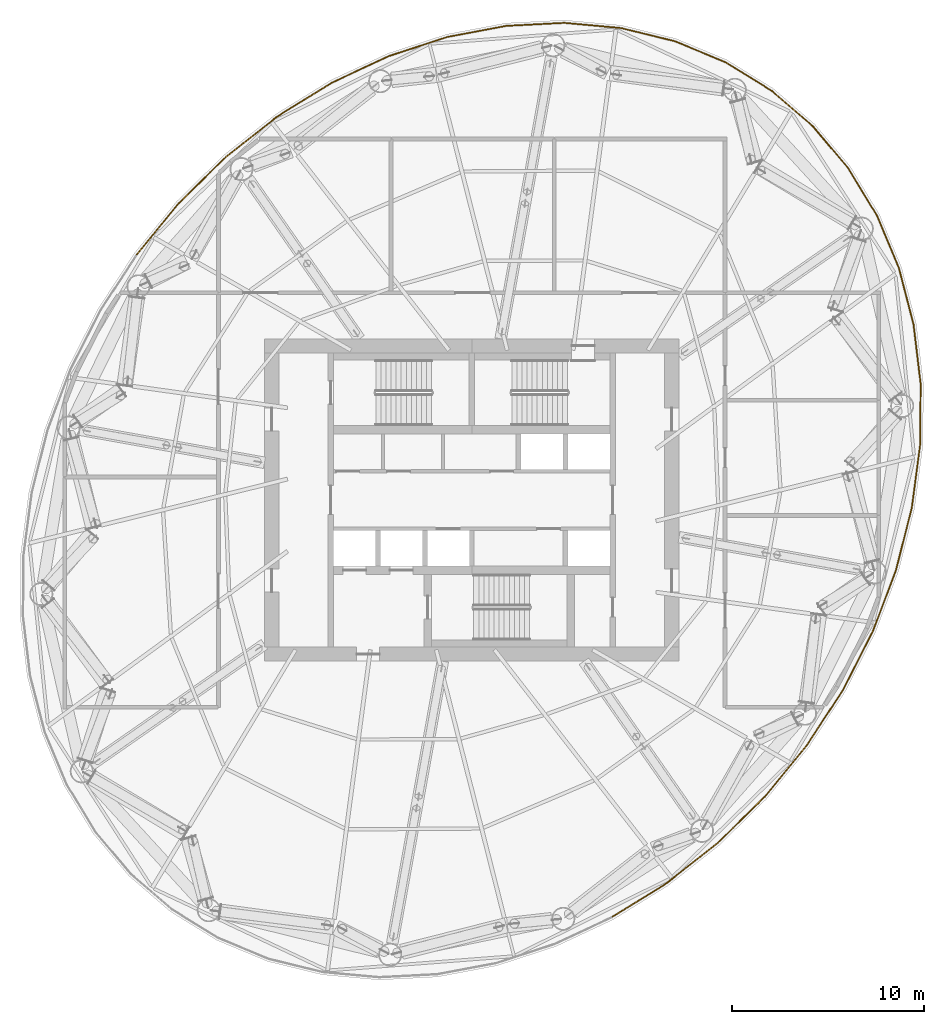
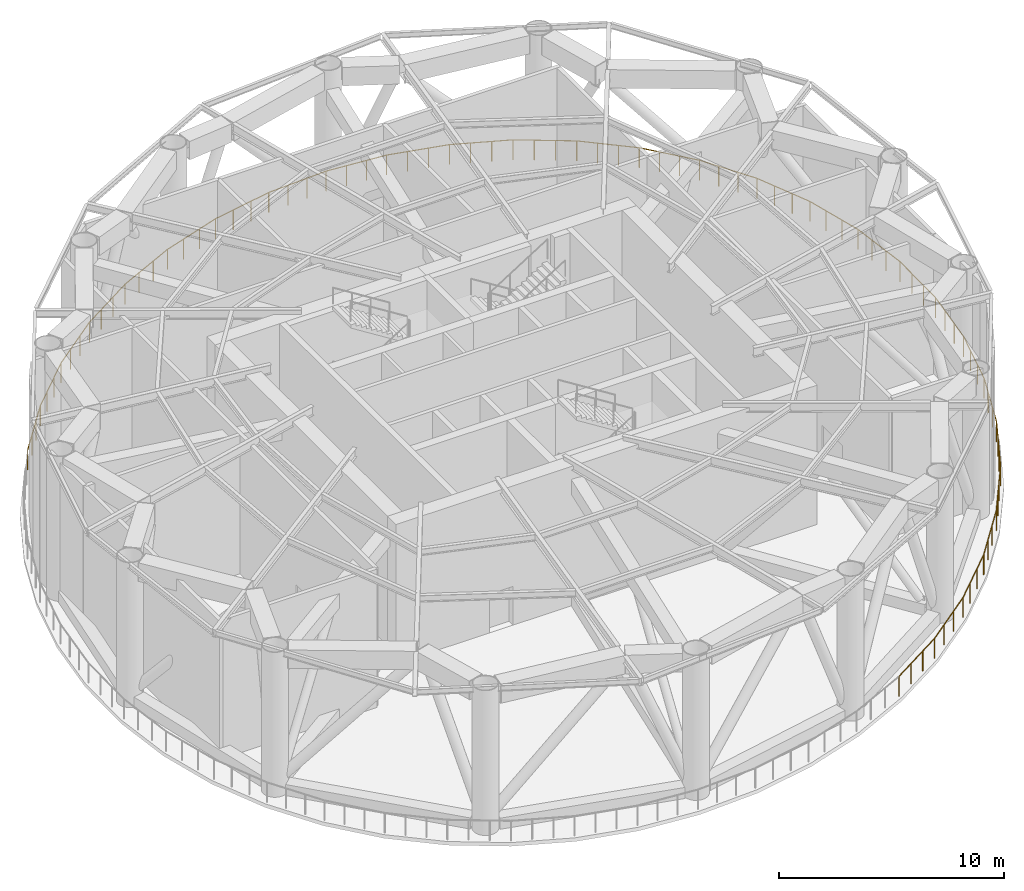
# One storey, part 15 of 15: 7 railings.
"""IFC4 building model written with IfcOpenShell, lengths in metres."""

from ifc_helpers import new_model, si_unit, direction, frame, origin, origin_2d, place, context, subcontext, project, spatial, circle, extrude, material, type_object, element, save


model = new_model("IFC4")

# Units and contexts
model_context = context("Model", 3, precision=1e-05, world=origin(), true_north=direction((0.0, 1.0)))
body_context = subcontext(model_context, "Body", "Model", "MODEL_VIEW")
ifc_project = project(units=[si_unit("LENGTHUNIT", "METRE"), si_unit("AREAUNIT", "SQUARE_METRE"), si_unit("VOLUMEUNIT", "CUBIC_METRE"), si_unit("PLANEANGLEUNIT", "RADIAN"), si_unit("MASSUNIT", "GRAM", prefix="KILO")], contexts=[model_context])

# Site, building, storey
site_placement = place(None, origin())
site = spatial("IfcSite", under=ifc_project, at=site_placement, CompositionType="ELEMENT")
building_placement = place(site_placement, origin())
building = spatial("IfcBuilding", under=site, at=building_placement, Name="Vermilion Reach Broadcast Tower", CompositionType="ELEMENT")
storey_placement = place(building_placement, frame((0.0, 0.0, 246.10009765625)))
storey = spatial("IfcBuildingStorey", under=building, at=storey_placement, Name="L61", CompositionType="ELEMENT", Elevation=246.10009765625)

# Railings
ifc_material = material(Name="Steel guardrail with stainless infill", Category="steel")
railing_type = type_object("IfcRailingType", Name="Open floor guardrail 1100", PredefinedType="GUARDRAIL", material=ifc_material)
railing_1_placement = place(storey_placement, frame((9.62548828125, 21.318359375, 0.0)))
element("IfcRailing", 1, at=railing_1_placement, inside=storey, type_object=railing_type, Name="sp.rail.L61.00", PredefinedType="GUARDRAIL", context=body_context, shape_type="SweptSolid", body=[
    extrude(circle(Radius=0.02490234375, at=origin_2d()), frame((0.0, 0.0, 1.0751953125), z_axis=(-0.851106588686, 0.524992928234, 0.0), x_axis=(-0.524992928234, -0.851106588686, 0.0)), (0.0, 0.0, 1.0), 2.828369140625),
    extrude(circle(Radius=0.02490234375, at=origin_2d()), frame((-2.4072265625, 1.48486328125, 1.0751953125), z_axis=(-0.923264218257, 0.384165567545, 0.0), x_axis=(-0.384165567545, -0.923264218257, 0.0)), (0.0, 0.0, 1.0), 2.85205078125),
    extrude(circle(Radius=0.02490234375, at=origin_2d()), frame((-5.04052734375, 2.58056640625, 1.0751953125), z_axis=(-0.971383456772, 0.237516693958, 0.0), x_axis=(-0.237516693958, -0.971383456772, 0.0)), (0.0, 0.0, 1.0), 2.897705078125),
    extrude(circle(Radius=0.02490234375, at=origin_2d()), frame((-7.855224609375, 3.268798828125, 1.0751953125), z_axis=(-0.995884414195, 0.09063240901, 0.0), x_axis=(-0.09063240901, -0.995884414195, 0.0)), (0.0, 0.0, 1.0), 2.96044921875),
    extrude(circle(Radius=0.02490234375, at=origin_2d()), origin(), (0.0, 0.0, 1.0), 1.050048828125),
    extrude(circle(Radius=0.02490234375, at=origin_2d()), frame((-0.802490234375, 0.494873046875, 0.0)), (0.0, 0.0, 1.0), 1.050048828125),
    extrude(circle(Radius=0.02490234375, at=origin_2d()), frame((-1.604736328125, 0.989990234375, 0.0)), (0.0, 0.0, 1.0), 1.050048828125),
    extrude(circle(Radius=0.02490234375, at=origin_2d()), frame((-2.4072265625, 1.48486328125, 0.0)), (0.0, 0.0, 1.0), 1.050048828125),
    extrude(circle(Radius=0.02490234375, at=origin_2d()), frame((-3.284912109375, 1.85009765625, 0.0)), (0.0, 0.0, 1.0), 1.050048828125),
    extrude(circle(Radius=0.02490234375, at=origin_2d()), frame((-4.162841796875, 2.21533203125, 0.0)), (0.0, 0.0, 1.0), 1.050048828125),
    extrude(circle(Radius=0.02490234375, at=origin_2d()), frame((-5.04052734375, 2.58056640625, 0.0)), (0.0, 0.0, 1.0), 1.050048828125),
    extrude(circle(Radius=0.02490234375, at=origin_2d()), frame((-5.978759765625, 2.81005859375, 0.0)), (0.0, 0.0, 1.0), 1.050048828125),
    extrude(circle(Radius=0.02490234375, at=origin_2d()), frame((-6.9169921875, 3.039306640625, 0.0)), (0.0, 0.0, 1.0), 1.050048828125),
    extrude(circle(Radius=0.02490234375, at=origin_2d()), frame((-7.855224609375, 3.268798828125, 0.0)), (0.0, 0.0, 1.0), 1.050048828125),
    extrude(circle(Radius=0.02490234375, at=origin_2d()), frame((-8.837890625, 3.358154296875, 0.0)), (0.0, 0.0, 1.0), 1.050048828125),
    extrude(circle(Radius=0.02490234375, at=origin_2d()), frame((-9.82080078125, 3.44775390625, 0.0)), (0.0, 0.0, 1.0), 1.050048828125),
    extrude(circle(Radius=0.02490234375, at=origin_2d()), frame((-10.803466796875, 3.537109375, 0.0)), (0.0, 0.0, 1.0), 1.050048828125),
])
railing_2_placement = place(storey_placement, frame((-1.177978515625, 24.85546875, 0.0)))
element("IfcRailing", 2, at=railing_2_placement, inside=storey, type_object=railing_type, Name="sp.rail.L61.01", PredefinedType="GUARDRAIL", context=body_context, shape_type="SweptSolid", body=[
    extrude(circle(Radius=0.02490234375, at=origin_2d()), frame((0.0, 0.0, 1.0751953125), z_axis=(-0.998670629218, -0.051545846955, 0.0), x_axis=(0.051545846955, -0.998670629218, 0.0)), (0.0, 0.0, 1.0), 3.0361328125),
    extrude(circle(Radius=0.02490234375, at=origin_2d()), frame((-3.031982421875, -0.156494140625, 1.0751953125), z_axis=(-0.982600768773, -0.185730259266, 0.0), x_axis=(0.185730259266, -0.982600768773, 0.0)), (0.0, 0.0, 1.0), 3.117919921875),
    extrude(circle(Radius=0.02490234375, at=origin_2d()), frame((-6.095703125, -0.735595703125, 1.0751953125), z_axis=(-0.950752810665, -0.309950146011, 0.0), x_axis=(0.309950146011, -0.950752810665, 0.0)), (0.0, 0.0, 1.0), 3.200439453125),
    extrude(circle(Radius=0.02490234375, at=origin_2d()), frame((-9.138427734375, -1.7275390625, 1.0751953125), z_axis=(-0.905884208304, -0.423525443327, 0.0), x_axis=(0.423525443327, -0.905884208304, 0.0)), (0.0, 0.0, 1.0), 3.2783203125),
    extrude(circle(Radius=0.02490234375, at=origin_2d()), origin(), (0.0, 0.0, 1.0), 1.050048828125),
    extrude(circle(Radius=0.02490234375, at=origin_2d()), frame((-1.0107421875, -0.05224609375, 0.0)), (0.0, 0.0, 1.0), 1.050048828125),
    extrude(circle(Radius=0.02490234375, at=origin_2d()), frame((-2.021240234375, -0.104248046875, 0.0)), (0.0, 0.0, 1.0), 1.050048828125),
    extrude(circle(Radius=0.02490234375, at=origin_2d()), frame((-3.031982421875, -0.156494140625, 0.0)), (0.0, 0.0, 1.0), 1.050048828125),
    extrude(circle(Radius=0.02490234375, at=origin_2d()), frame((-4.05322265625, -0.349609375, 0.0)), (0.0, 0.0, 1.0), 1.050048828125),
    extrude(circle(Radius=0.02490234375, at=origin_2d()), frame((-5.074462890625, -0.54248046875, 0.0)), (0.0, 0.0, 1.0), 1.050048828125),
    extrude(circle(Radius=0.02490234375, at=origin_2d()), frame((-6.095703125, -0.735595703125, 0.0)), (0.0, 0.0, 1.0), 1.050048828125),
    extrude(circle(Radius=0.02490234375, at=origin_2d()), frame((-7.10986328125, -1.066162109375, 0.0)), (0.0, 0.0, 1.0), 1.050048828125),
    extrude(circle(Radius=0.02490234375, at=origin_2d()), frame((-8.124267578125, -1.39697265625, 0.0)), (0.0, 0.0, 1.0), 1.050048828125),
    extrude(circle(Radius=0.02490234375, at=origin_2d()), frame((-9.138427734375, -1.7275390625, 0.0)), (0.0, 0.0, 1.0), 1.050048828125),
    extrude(circle(Radius=0.02490234375, at=origin_2d()), frame((-10.12841796875, -2.1904296875, 0.0)), (0.0, 0.0, 1.0), 1.050048828125),
    extrude(circle(Radius=0.02490234375, at=origin_2d()), frame((-11.1181640625, -2.653076171875, 0.0)), (0.0, 0.0, 1.0), 1.050048828125),
    extrude(circle(Radius=0.02490234375, at=origin_2d()), frame((-12.108154296875, -3.115966796875, 0.0)), (0.0, 0.0, 1.0), 1.050048828125),
])
railing_3_placement = place(storey_placement, frame((-13.2861328125, 21.739501953125, 0.0)))
element("IfcRailing", 3, at=railing_3_placement, inside=storey, type_object=railing_type, Name="sp.rail.L61.02", PredefinedType="GUARDRAIL", context=body_context, shape_type="SweptSolid", body=[
    extrude(circle(Radius=0.02490234375, at=origin_2d()), frame((0.0, 0.0, 1.0751953125), z_axis=(-0.850277585558, -0.526334520526, 0.0), x_axis=(0.526334520526, -0.850277585558, 0.0)), (0.0, 0.0, 1.0), 3.34619140625),
    extrude(circle(Radius=0.02490234375, at=origin_2d()), frame((-2.84521484375, -1.76123046875, 1.0751953125), z_axis=(-0.785712637721, -0.618591667359, 0.0), x_axis=(0.618591667359, -0.785712637721, 0.0)), (0.0, 0.0, 1.0), 3.40087890625),
    extrude(circle(Radius=0.02490234375, at=origin_2d()), frame((-5.517333984375, -3.864990234375, 1.0751953125), z_axis=(-0.713221227857, -0.700938998868, 0.0), x_axis=(0.700938998868, -0.713221227857, 0.0)), (0.0, 0.0, 1.0), 3.438720703125),
    extrude(circle(Radius=0.02490234375, at=origin_2d()), frame((-7.969970703125, -6.275390625, 1.0751953125), z_axis=(-0.633564484585, -0.773689888697, 0.0), x_axis=(0.773689888697, -0.633564484585, 0.0)), (0.0, 0.0, 1.0), 3.45849609375),
    extrude(circle(Radius=0.02490234375, at=origin_2d()), origin(), (0.0, 0.0, 1.0), 1.050048828125),
    extrude(circle(Radius=0.02490234375, at=origin_2d()), frame((-0.948486328125, -0.587158203125, 0.0)), (0.0, 0.0, 1.0), 1.050048828125),
    extrude(circle(Radius=0.02490234375, at=origin_2d()), frame((-1.896728515625, -1.174072265625, 0.0)), (0.0, 0.0, 1.0), 1.050048828125),
    extrude(circle(Radius=0.02490234375, at=origin_2d()), frame((-2.84521484375, -1.76123046875, 0.0)), (0.0, 0.0, 1.0), 1.050048828125),
    extrude(circle(Radius=0.02490234375, at=origin_2d()), frame((-3.73583984375, -2.46240234375, 0.0)), (0.0, 0.0, 1.0), 1.050048828125),
    extrude(circle(Radius=0.02490234375, at=origin_2d()), frame((-4.626708984375, -3.163818359375, 0.0)), (0.0, 0.0, 1.0), 1.050048828125),
    extrude(circle(Radius=0.02490234375, at=origin_2d()), frame((-5.517333984375, -3.864990234375, 0.0)), (0.0, 0.0, 1.0), 1.050048828125),
    extrude(circle(Radius=0.02490234375, at=origin_2d()), frame((-6.3349609375, -4.66845703125, 0.0)), (0.0, 0.0, 1.0), 1.050048828125),
    extrude(circle(Radius=0.02490234375, at=origin_2d()), frame((-7.15234375, -5.471923828125, 0.0)), (0.0, 0.0, 1.0), 1.050048828125),
    extrude(circle(Radius=0.02490234375, at=origin_2d()), frame((-7.969970703125, -6.275390625, 0.0)), (0.0, 0.0, 1.0), 1.050048828125),
    extrude(circle(Radius=0.02490234375, at=origin_2d()), frame((-8.700439453125, -7.167236328125, 0.0)), (0.0, 0.0, 1.0), 1.050048828125),
    extrude(circle(Radius=0.02490234375, at=origin_2d()), frame((-9.4306640625, -8.059326171875, 0.0)), (0.0, 0.0, 1.0), 1.050048828125),
    extrude(circle(Radius=0.02490234375, at=origin_2d()), frame((-10.1611328125, -8.951171875, 0.0)), (0.0, 0.0, 1.0), 1.050048828125),
])
railing_4_placement = place(storey_placement, frame((1.2861328125, -21.739501953125, 0.0)))
element("IfcRailing", 4, at=railing_4_placement, inside=storey, type_object=railing_type, Name="sp.rail.L61.08", PredefinedType="GUARDRAIL", context=body_context, shape_type="SweptSolid", body=[
    extrude(circle(Radius=0.02490234375, at=origin_2d()), frame((0.0, 0.0, 1.0751953125), z_axis=(0.850277585558, 0.526334520526, 0.0), x_axis=(-0.526334520526, 0.850277585558, 0.0)), (0.0, 0.0, 1.0), 3.34619140625),
    extrude(circle(Radius=0.02490234375, at=origin_2d()), frame((2.84521484375, 1.76123046875, 1.0751953125), z_axis=(0.785712637721, 0.618591667359, 0.0), x_axis=(-0.618591667359, 0.785712637721, 0.0)), (0.0, 0.0, 1.0), 3.40087890625),
    extrude(circle(Radius=0.02490234375, at=origin_2d()), frame((5.517333984375, 3.864990234375, 1.0751953125), z_axis=(0.713221227857, 0.700938998868, 0.0), x_axis=(-0.700938998868, 0.713221227857, 0.0)), (0.0, 0.0, 1.0), 3.438720703125),
    extrude(circle(Radius=0.02490234375, at=origin_2d()), frame((7.969970703125, 6.275390625, 1.0751953125), z_axis=(0.633564484585, 0.773689888697, 0.0), x_axis=(-0.773689888697, 0.633564484585, 0.0)), (0.0, 0.0, 1.0), 3.45849609375),
    extrude(circle(Radius=0.02490234375, at=origin_2d()), origin(), (0.0, 0.0, 1.0), 1.050048828125),
    extrude(circle(Radius=0.02490234375, at=origin_2d()), frame((0.948486328125, 0.587158203125, 0.0)), (0.0, 0.0, 1.0), 1.050048828125),
    extrude(circle(Radius=0.02490234375, at=origin_2d()), frame((1.896728515625, 1.174072265625, 0.0)), (0.0, 0.0, 1.0), 1.050048828125),
    extrude(circle(Radius=0.02490234375, at=origin_2d()), frame((2.84521484375, 1.76123046875, 0.0)), (0.0, 0.0, 1.0), 1.050048828125),
    extrude(circle(Radius=0.02490234375, at=origin_2d()), frame((3.73583984375, 2.46240234375, 0.0)), (0.0, 0.0, 1.0), 1.050048828125),
    extrude(circle(Radius=0.02490234375, at=origin_2d()), frame((4.626708984375, 3.163818359375, 0.0)), (0.0, 0.0, 1.0), 1.050048828125),
    extrude(circle(Radius=0.02490234375, at=origin_2d()), frame((5.517333984375, 3.864990234375, 0.0)), (0.0, 0.0, 1.0), 1.050048828125),
    extrude(circle(Radius=0.02490234375, at=origin_2d()), frame((6.3349609375, 4.66845703125, 0.0)), (0.0, 0.0, 1.0), 1.050048828125),
    extrude(circle(Radius=0.02490234375, at=origin_2d()), frame((7.15234375, 5.471923828125, 0.0)), (0.0, 0.0, 1.0), 1.050048828125),
    extrude(circle(Radius=0.02490234375, at=origin_2d()), frame((7.969970703125, 6.275390625, 0.0)), (0.0, 0.0, 1.0), 1.050048828125),
    extrude(circle(Radius=0.02490234375, at=origin_2d()), frame((8.700439453125, 7.167236328125, 0.0)), (0.0, 0.0, 1.0), 1.050048828125),
    extrude(circle(Radius=0.02490234375, at=origin_2d()), frame((9.4306640625, 8.059326171875, 0.0)), (0.0, 0.0, 1.0), 1.050048828125),
    extrude(circle(Radius=0.02490234375, at=origin_2d()), frame((10.1611328125, 8.951171875, 0.0)), (0.0, 0.0, 1.0), 1.050048828125),
])
railing_5_placement = place(storey_placement, frame((11.447265625, -12.788330078125, 0.0)))
element("IfcRailing", 5, at=railing_5_placement, inside=storey, type_object=railing_type, Name="sp.rail.L61.09", PredefinedType="GUARDRAIL", context=body_context, shape_type="SweptSolid", body=[
    extrude(circle(Radius=0.02490234375, at=origin_2d()), frame((0.0, 0.0, 1.0751953125), z_axis=(0.547053458419, 0.837097672695, 0.0), x_axis=(-0.837097672695, 0.547053458419, 0.0)), (0.0, 0.0, 1.0), 3.458740234375),
    extrude(circle(Radius=0.02490234375, at=origin_2d()), frame((1.89208984375, 2.895263671875, 1.0751953125), z_axis=(0.453733271849, 0.891137541582, 0.0), x_axis=(-0.891137541582, 0.453733271849, 0.0)), (0.0, 0.0, 1.0), 3.438720703125),
    extrude(circle(Radius=0.02490234375, at=origin_2d()), frame((3.452392578125, 5.959716796875, 1.0751953125), z_axis=(0.353411737076, 0.935467874433, 0.0), x_axis=(-0.935467874433, 0.353411737076, 0.0)), (0.0, 0.0, 1.0), 3.40087890625),
    extrude(circle(Radius=0.02490234375, at=origin_2d()), frame((4.654296875, 9.14111328125, 1.0751953125), z_axis=(0.24586445997, 0.96930421815, 0.0), x_axis=(-0.96930421815, 0.24586445997, 0.0)), (0.0, 0.0, 1.0), 3.346435546875),
    extrude(circle(Radius=0.02490234375, at=origin_2d()), origin(), (0.0, 0.0, 1.0), 1.050048828125),
    extrude(circle(Radius=0.02490234375, at=origin_2d()), frame((0.630615234375, 0.965087890625, 0.0)), (0.0, 0.0, 1.0), 1.050048828125),
    extrude(circle(Radius=0.02490234375, at=origin_2d()), frame((1.261474609375, 1.93017578125, 0.0)), (0.0, 0.0, 1.0), 1.050048828125),
    extrude(circle(Radius=0.02490234375, at=origin_2d()), frame((1.89208984375, 2.895263671875, 0.0)), (0.0, 0.0, 1.0), 1.050048828125),
    extrude(circle(Radius=0.02490234375, at=origin_2d()), frame((2.412109375, 3.916748046875, 0.0)), (0.0, 0.0, 1.0), 1.050048828125),
    extrude(circle(Radius=0.02490234375, at=origin_2d()), frame((2.932373046875, 4.938232421875, 0.0)), (0.0, 0.0, 1.0), 1.050048828125),
    extrude(circle(Radius=0.02490234375, at=origin_2d()), frame((3.452392578125, 5.959716796875, 0.0)), (0.0, 0.0, 1.0), 1.050048828125),
    extrude(circle(Radius=0.02490234375, at=origin_2d()), frame((3.85302734375, 7.020263671875, 0.0)), (0.0, 0.0, 1.0), 1.050048828125),
    extrude(circle(Radius=0.02490234375, at=origin_2d()), frame((4.253662109375, 8.08056640625, 0.0)), (0.0, 0.0, 1.0), 1.050048828125),
    extrude(circle(Radius=0.02490234375, at=origin_2d()), frame((4.654296875, 9.14111328125, 0.0)), (0.0, 0.0, 1.0), 1.050048828125),
    extrude(circle(Radius=0.02490234375, at=origin_2d()), frame((4.928466796875, 10.222412109375, 0.0)), (0.0, 0.0, 1.0), 1.050048828125),
    extrude(circle(Radius=0.02490234375, at=origin_2d()), frame((5.202880859375, 11.303466796875, 0.0)), (0.0, 0.0, 1.0), 1.050048828125),
    extrude(circle(Radius=0.02490234375, at=origin_2d()), frame((5.47705078125, 12.384765625, 0.0)), (0.0, 0.0, 1.0), 1.050048828125),
])
railing_6_placement = place(storey_placement, frame((16.92431640625, -0.403564453125, 0.0)))
element("IfcRailing", 6, at=railing_6_placement, inside=storey, type_object=railing_type, Name="sp.rail.L61.10", PredefinedType="GUARDRAIL", context=body_context, shape_type="SweptSolid", body=[
    extrude(circle(Radius=0.02490234375, at=origin_2d()), frame((0.0, 0.0, 1.0751953125), z_axis=(0.131227017509, 0.99135234396, 0.0), x_axis=(-0.99135234396, 0.131227017509, 0.0)), (0.0, 0.0, 1.0), 3.278076171875),
    extrude(circle(Radius=0.02490234375, at=origin_2d()), frame((0.43017578125, 3.249755859375, 1.0751953125), z_axis=(0.009383169452, 0.999955977097, 0.0), x_axis=(-0.999955977097, 0.009383169452, 0.0)), (0.0, 0.0, 1.0), 3.200439453125),
    extrude(circle(Radius=0.02490234375, at=origin_2d()), frame((0.460205078125, 6.449951171875, 1.0751953125), z_axis=(-0.118703687399, 0.99292972289, 0.0), x_axis=(-0.99292972289, -0.118703687399, 0.0)), (0.0, 0.0, 1.0), 3.117919921875),
    extrude(circle(Radius=0.02490234375, at=origin_2d()), frame((0.090087890625, 9.5458984375, 1.0751953125), z_axis=(-0.25145608602, 0.967868708454, 0.0), x_axis=(-0.967868708454, -0.25145608602, 0.0)), (0.0, 0.0, 1.0), 3.0361328125),
    extrude(circle(Radius=0.02490234375, at=origin_2d()), origin(), (0.0, 0.0, 1.0), 1.050048828125),
    extrude(circle(Radius=0.02490234375, at=origin_2d()), frame((0.143310546875, 1.083251953125, 0.0)), (0.0, 0.0, 1.0), 1.050048828125),
    extrude(circle(Radius=0.02490234375, at=origin_2d()), frame((0.286865234375, 2.16650390625, 0.0)), (0.0, 0.0, 1.0), 1.050048828125),
    extrude(circle(Radius=0.02490234375, at=origin_2d()), frame((0.43017578125, 3.249755859375, 0.0)), (0.0, 0.0, 1.0), 1.050048828125),
    extrude(circle(Radius=0.02490234375, at=origin_2d()), frame((0.440185546875, 4.31640625, 0.0)), (0.0, 0.0, 1.0), 1.050048828125),
    extrude(circle(Radius=0.02490234375, at=origin_2d()), frame((0.4501953125, 5.38330078125, 0.0)), (0.0, 0.0, 1.0), 1.050048828125),
    extrude(circle(Radius=0.02490234375, at=origin_2d()), frame((0.460205078125, 6.449951171875, 0.0)), (0.0, 0.0, 1.0), 1.050048828125),
    extrude(circle(Radius=0.02490234375, at=origin_2d()), frame((0.3369140625, 7.48193359375, 0.0)), (0.0, 0.0, 1.0), 1.050048828125),
    extrude(circle(Radius=0.02490234375, at=origin_2d()), frame((0.21337890625, 8.513916015625, 0.0)), (0.0, 0.0, 1.0), 1.050048828125),
    extrude(circle(Radius=0.02490234375, at=origin_2d()), frame((0.090087890625, 9.5458984375, 0.0)), (0.0, 0.0, 1.0), 1.050048828125),
    extrude(circle(Radius=0.02490234375, at=origin_2d()), frame((-0.164306640625, 10.525390625, 0.0)), (0.0, 0.0, 1.0), 1.050048828125),
    extrude(circle(Radius=0.02490234375, at=origin_2d()), frame((-0.4189453125, 11.5048828125, 0.0)), (0.0, 0.0, 1.0), 1.050048828125),
    extrude(circle(Radius=0.02490234375, at=origin_2d()), frame((-0.67333984375, 12.484375, 0.0)), (0.0, 0.0, 1.0), 1.050048828125),
])
railing_7_placement = place(storey_placement, frame((16.2509765625, 12.080810546875, 0.0)))
element("IfcRailing", 7, at=railing_7_placement, inside=storey, type_object=railing_type, Name="sp.rail.L61.11", PredefinedType="GUARDRAIL", context=body_context, shape_type="SweptSolid", body=[
    extrude(circle(Radius=0.02490234375, at=origin_2d()), frame((0.0, 0.0, 1.0751953125), z_axis=(-0.386271897217, 0.922384963787, 0.0), x_axis=(-0.922384963787, -0.386271897217, 0.0)), (0.0, 0.0, 1.0), 2.96044921875),
    extrude(circle(Radius=0.02490234375, at=origin_2d()), frame((-1.1435546875, 2.730712890625, 1.0751953125), z_axis=(-0.518850605342, 0.854864930464, 0.0), x_axis=(-0.854864930464, -0.518850605342, 0.0)), (0.0, 0.0, 1.0), 2.897705078125),
    extrude(circle(Radius=0.02490234375, at=origin_2d()), frame((-2.64697265625, 5.207763671875, 1.0751953125), z_axis=(-0.644367671969, 0.764715831745, 0.0), x_axis=(-0.764715831745, -0.644367671969, 0.0)), (0.0, 0.0, 1.0), 2.852294921875),
    extrude(circle(Radius=0.02490234375, at=origin_2d()), frame((-4.48486328125, 7.388916015625, 1.0751953125), z_axis=(-0.756838534628, 0.653601891446, 0.0), x_axis=(-0.653601891446, -0.756838534628, 0.0)), (0.0, 0.0, 1.0), 2.828369140625),
    extrude(circle(Radius=0.02490234375, at=origin_2d()), origin(), (0.0, 0.0, 1.0), 1.050048828125),
    extrude(circle(Radius=0.02490234375, at=origin_2d()), frame((-0.381103515625, 0.91015625, 0.0)), (0.0, 0.0, 1.0), 1.050048828125),
    extrude(circle(Radius=0.02490234375, at=origin_2d()), frame((-0.762451171875, 1.820556640625, 0.0)), (0.0, 0.0, 1.0), 1.050048828125),
    extrude(circle(Radius=0.02490234375, at=origin_2d()), frame((-1.1435546875, 2.730712890625, 0.0)), (0.0, 0.0, 1.0), 1.050048828125),
    extrude(circle(Radius=0.02490234375, at=origin_2d()), frame((-1.644775390625, 3.556396484375, 0.0)), (0.0, 0.0, 1.0), 1.050048828125),
    extrude(circle(Radius=0.02490234375, at=origin_2d()), frame((-2.145751953125, 4.382080078125, 0.0)), (0.0, 0.0, 1.0), 1.050048828125),
    extrude(circle(Radius=0.02490234375, at=origin_2d()), frame((-2.64697265625, 5.207763671875, 0.0)), (0.0, 0.0, 1.0), 1.050048828125),
    extrude(circle(Radius=0.02490234375, at=origin_2d()), frame((-3.259521484375, 5.934814453125, 0.0)), (0.0, 0.0, 1.0), 1.050048828125),
    extrude(circle(Radius=0.02490234375, at=origin_2d()), frame((-3.872314453125, 6.661865234375, 0.0)), (0.0, 0.0, 1.0), 1.050048828125),
    extrude(circle(Radius=0.02490234375, at=origin_2d()), frame((-4.48486328125, 7.388916015625, 0.0)), (0.0, 0.0, 1.0), 1.050048828125),
    extrude(circle(Radius=0.02490234375, at=origin_2d()), frame((-5.198486328125, 8.005126953125, 0.0)), (0.0, 0.0, 1.0), 1.050048828125),
    extrude(circle(Radius=0.02490234375, at=origin_2d()), frame((-5.911865234375, 8.621337890625, 0.0)), (0.0, 0.0, 1.0), 1.050048828125),
    extrude(circle(Radius=0.02490234375, at=origin_2d()), frame((-6.62548828125, 9.237548828125, 0.0)), (0.0, 0.0, 1.0), 1.050048828125),
])

save(model, "model.ifc")
